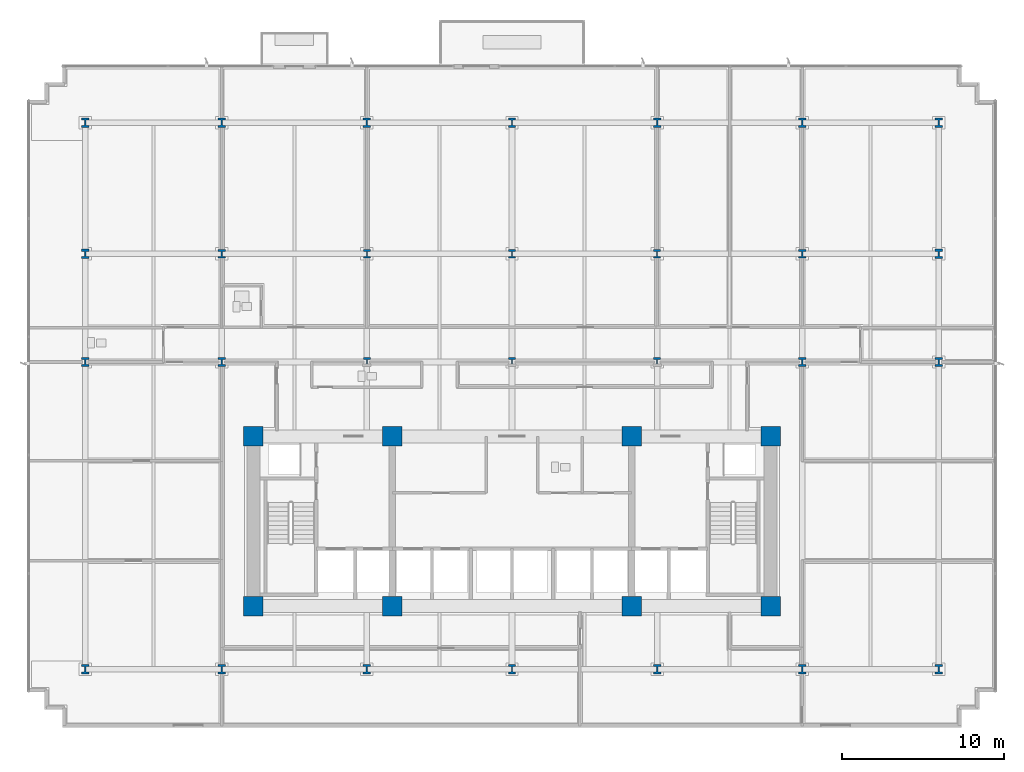
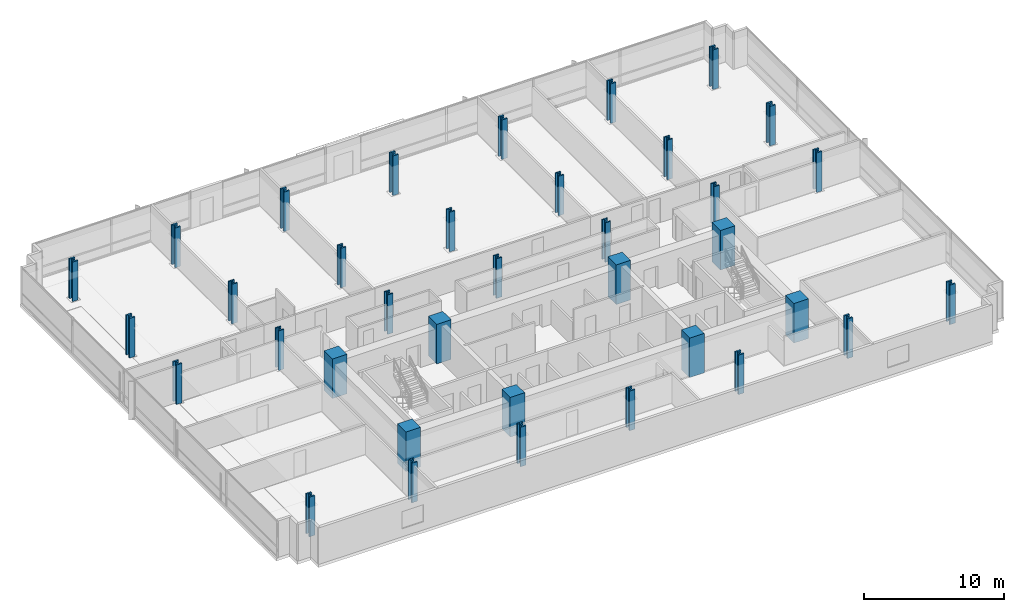
# One storey, part 1 of 21: 36 columns.
"""IFC4 building model written with IfcOpenShell, lengths in metres."""

from ifc_helpers import new_model, si_unit, direction, frame, origin, origin_2d, place, context, subcontext, project, spatial, rectangle, i_section, extrude, material, material_profile, profile_set, type_object, element, save


model = new_model("IFC4")

# Units and contexts
model_context = context("Model", 3, precision=1e-05, world=origin(), true_north=direction((0.0, 1.0)))
body_context = subcontext(model_context, "Body", "Model", "MODEL_VIEW")
ifc_project = project(units=[si_unit("LENGTHUNIT", "METRE"), si_unit("AREAUNIT", "SQUARE_METRE"), si_unit("VOLUMEUNIT", "CUBIC_METRE"), si_unit("PLANEANGLEUNIT", "RADIAN"), si_unit("MASSUNIT", "GRAM", prefix="KILO")], contexts=[model_context])

# Site, building, storey
site_placement = place(None, origin())
site = spatial("IfcSite", under=ifc_project, at=site_placement, CompositionType="ELEMENT")
building_placement = place(site_placement, origin())
building = spatial("IfcBuilding", under=site, at=building_placement, Name="Solmavex Isthmus Hotel", CompositionType="ELEMENT")
storey_placement = place(building_placement, frame((0.0, 0.0, 54.0)))
storey = spatial("IfcBuildingStorey", under=building, at=storey_placement, Name="L14", CompositionType="ELEMENT", Elevation=54.0)

# Columns
ifc_material_1 = material(Name="Concrete C70/85", Category="concrete")
ifc_material_profile_1 = material_profile(ifc_material_1, rectangle(XDim=1.199951171875, YDim=1.199951171875, at=origin_2d()), Name="RC1200X1200")
ifc_profile_set_1 = profile_set([ifc_material_profile_1], Name="Concrete C70/85")
column_type_1 = type_object("IfcColumnType", Name="COL-CC-1200", PredefinedType="COLUMN", material=ifc_profile_set_1)
for number, where, z_axis, x_axis, name in (
    (1, (-16.0, -13.0, 0.0), (0.0, 0.0, 1.0), (1.0, 0.0, 0.0), "Core Pilaster CC-SW L14"),
    (2, (-7.39990234375, -13.0, 0.0), (0.0, 0.0, 1.0), (1.0, 0.0, 0.0), "Core Pilaster CC-S1 L14"),
    (3, (7.39990234375, -13.0, 0.0), (0.0, 0.0, 1.0), (1.0, 0.0, 0.0), "Core Pilaster CC-S2 L14"),
    (4, (16.0, -13.0, 0.0), (0.0, 0.0, 1.0), (1.0, 0.0, 0.0), "Core Pilaster CC-SE L14"),
    (5, (-16.0, -2.5, 0.0), (0.0, 0.0, 1.0), (1.0, 0.0, 0.0), "Core Pilaster CC-NW L14"),
    (6, (-7.39990234375, -2.5, 0.0), (0.0, 0.0, 1.0), (1.0, 0.0, 0.0), "Core Pilaster CC-N1 L14"),
    (7, (7.39990234375, -2.5, 0.0), (0.0, 0.0, 1.0), (1.0, 0.0, 0.0), "Core Pilaster CC-N2 L14"),
    (8, (16.0, -2.5, 0.0), (0.0, 0.0, 1.0), (1.0, 0.0, 0.0), "Core Pilaster CC-NE L14"),
):
    element("IfcColumn", number, at=place(storey_placement, frame(where, z_axis=z_axis, x_axis=x_axis)), inside=storey, type_object=column_type_1, Name=name, PredefinedType="COLUMN", context=body_context, shape_type="SweptSolid", body=[
        extrude(rectangle(XDim=1.199951171875, YDim=1.199951171875, at=origin_2d()), origin(), (0.0, 0.0, 1.0), 3.449951171875),
    ])
ifc_material_2 = material(Name="Steel ASTM A913 Grade 65", Category="steel")
ifc_material_profile_2 = material_profile(ifc_material_2, i_section(OverallWidth=0.442138671875, OverallDepth=0.531494140625, WebThickness=0.06591796875, FlangeThickness=0.105712890625, FilletRadius=0.030517578125, at=origin_2d()), Name="W14X605")
ifc_profile_set_2 = profile_set([ifc_material_profile_2], Name="Steel ASTM A913 Grade 65")
column_type_2 = type_object("IfcColumnType", Name="COL-SC-W14X605", PredefinedType="COLUMN", material=ifc_profile_set_2)
for number, where, z_axis, x_axis, name in (
    (9, (-17.951904296875, 2.10009765625, 0.0), (0.0, 0.0, 1.0), (1.0, 0.0, 0.0), "Tower Column B1-U2V2 L14"),
    (10, (-17.951904296875, 8.7880859375, 0.0), (0.0, 0.0, 1.0), (1.0, 0.0, 0.0), "Tower Column B1-U2V3 L14"),
    (11, (-8.97607421875, 2.10009765625, 0.0), (0.0, 0.0, 1.0), (1.0, 0.0, 0.0), "Tower Column B1-U3V2 L14"),
    (12, (-8.97607421875, 8.7880859375, 0.0), (0.0, 0.0, 1.0), (1.0, 0.0, 0.0), "Tower Column B1-U3V3 L14"),
    (13, (0.0, 2.10009765625, 0.0), (0.0, 0.0, 1.0), (1.0, 0.0, 0.0), "Tower Column B1-U4V2 L14"),
    (14, (0.0, 8.7880859375, 0.0), (0.0, 0.0, 1.0), (1.0, 0.0, 0.0), "Tower Column B1-U4V3 L14"),
    (15, (8.97607421875, 2.10009765625, 0.0), (0.0, 0.0, 1.0), (1.0, 0.0, 0.0), "Tower Column B1-U5V2 L14"),
    (16, (8.97607421875, 8.7880859375, 0.0), (0.0, 0.0, 1.0), (1.0, 0.0, 0.0), "Tower Column B1-U5V3 L14"),
    (17, (17.951904296875, 2.10009765625, 0.0), (0.0, 0.0, 1.0), (1.0, 0.0, 0.0), "Tower Column B1-U6V2 L14"),
    (18, (17.951904296875, 8.7880859375, 0.0), (0.0, 0.0, 1.0), (1.0, 0.0, 0.0), "Tower Column B1-U6V3 L14"),
):
    element("IfcColumn", number, at=place(storey_placement, frame(where, z_axis=z_axis, x_axis=x_axis)), inside=storey, type_object=column_type_2, Name=name, PredefinedType="COLUMN", context=body_context, shape_type="SweptSolid", body=[
        extrude(i_section(OverallWidth=0.442138671875, OverallDepth=0.531494140625, WebThickness=0.06591796875, FlangeThickness=0.105712890625, FilletRadius=0.030517578125, at=origin_2d()), origin(), (0.0, 0.0, 1.0), 3.449951171875),
    ])
ifc_material_profile_3 = material_profile(ifc_material_2, i_section(OverallWidth=0.454345703125, OverallDepth=0.569091796875, WebThickness=0.077880859375, FlangeThickness=0.124755859375, FilletRadius=0.030517578125, at=origin_2d()), Name="W14X730")
ifc_profile_set_3 = profile_set([ifc_material_profile_3], Name="Steel ASTM A913 Grade 65")
column_type_3 = type_object("IfcColumnType", Name="COL-SC-W14X730", PredefinedType="COLUMN", material=ifc_profile_set_3)
for number, where, z_axis, x_axis, name in (
    (19, (-26.39990234375, -16.89990234375, 0.0), (0.0, 0.0, 1.0), (1.0, 0.0, 0.0), "Tower Column B1-U1V1 L14"),
    (20, (-26.39990234375, 2.10009765625, 0.0), (0.0, 0.0, 1.0), (1.0, 0.0, 0.0), "Tower Column B1-U1V2 L14"),
    (21, (-26.39990234375, 8.7880859375, 0.0), (0.0, 0.0, 1.0), (1.0, 0.0, 0.0), "Tower Column B1-U1V3 L14"),
    (22, (-26.39990234375, 16.89990234375, 0.0), (0.0, 0.0, 1.0), (1.0, 0.0, 0.0), "Tower Column B1-U1V4 L14"),
    (23, (-17.951904296875, -16.89990234375, 0.0), (0.0, 0.0, 1.0), (1.0, 0.0, 0.0), "Tower Column B1-U2V1 L14"),
    (24, (-17.951904296875, 16.89990234375, 0.0), (0.0, 0.0, 1.0), (1.0, 0.0, 0.0), "Tower Column B1-U2V4 L14"),
    (25, (-8.97607421875, -16.89990234375, 0.0), (0.0, 0.0, 1.0), (1.0, 0.0, 0.0), "Tower Column B1-U3V1 L14"),
    (26, (-8.97607421875, 16.89990234375, 0.0), (0.0, 0.0, 1.0), (1.0, 0.0, 0.0), "Tower Column B1-U3V4 L14"),
    (27, (0.0, -16.89990234375, 0.0), (0.0, 0.0, 1.0), (1.0, 0.0, 0.0), "Tower Column B1-U4V1 L14"),
    (28, (0.0, 16.89990234375, 0.0), (0.0, 0.0, 1.0), (1.0, 0.0, 0.0), "Tower Column B1-U4V4 L14"),
    (29, (8.97607421875, -16.89990234375, 0.0), (0.0, 0.0, 1.0), (1.0, 0.0, 0.0), "Tower Column B1-U5V1 L14"),
    (30, (8.97607421875, 16.89990234375, 0.0), (0.0, 0.0, 1.0), (1.0, 0.0, 0.0), "Tower Column B1-U5V4 L14"),
    (31, (17.951904296875, -16.89990234375, 0.0), (0.0, 0.0, 1.0), (1.0, 0.0, 0.0), "Tower Column B1-U6V1 L14"),
    (32, (17.951904296875, 16.89990234375, 0.0), (0.0, 0.0, 1.0), (1.0, 0.0, 0.0), "Tower Column B1-U6V4 L14"),
    (33, (26.39990234375, -16.89990234375, 0.0), (0.0, 0.0, 1.0), (1.0, 0.0, 0.0), "Tower Column B1-U7V1 L14"),
    (34, (26.39990234375, 2.10009765625, 0.0), (0.0, 0.0, 1.0), (1.0, 0.0, 0.0), "Tower Column B1-U7V2 L14"),
    (35, (26.39990234375, 8.7880859375, 0.0), (0.0, 0.0, 1.0), (1.0, 0.0, 0.0), "Tower Column B1-U7V3 L14"),
    (36, (26.39990234375, 16.89990234375, 0.0), (0.0, 0.0, 1.0), (1.0, 0.0, 0.0), "Tower Column B1-U7V4 L14"),
):
    element("IfcColumn", number, at=place(storey_placement, frame(where, z_axis=z_axis, x_axis=x_axis)), inside=storey, type_object=column_type_3, Name=name, PredefinedType="COLUMN", context=body_context, shape_type="SweptSolid", body=[
        extrude(i_section(OverallWidth=0.454345703125, OverallDepth=0.569091796875, WebThickness=0.077880859375, FlangeThickness=0.124755859375, FilletRadius=0.030517578125, at=origin_2d()), origin(), (0.0, 0.0, 1.0), 3.449951171875),
    ])

save(model, "model.ifc")
